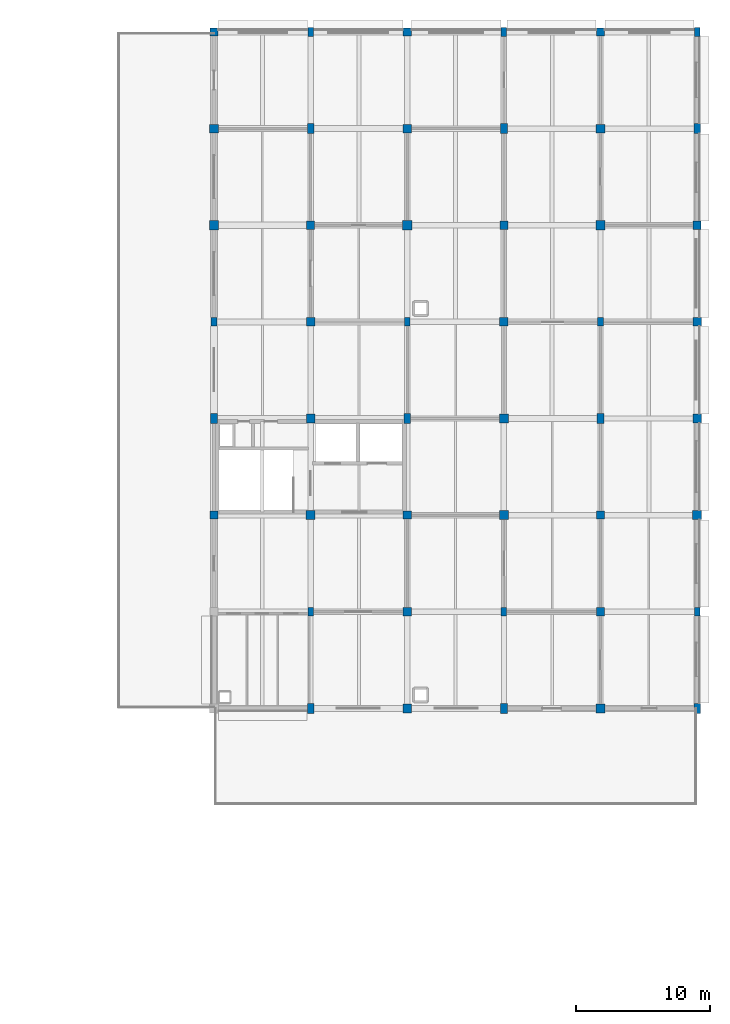
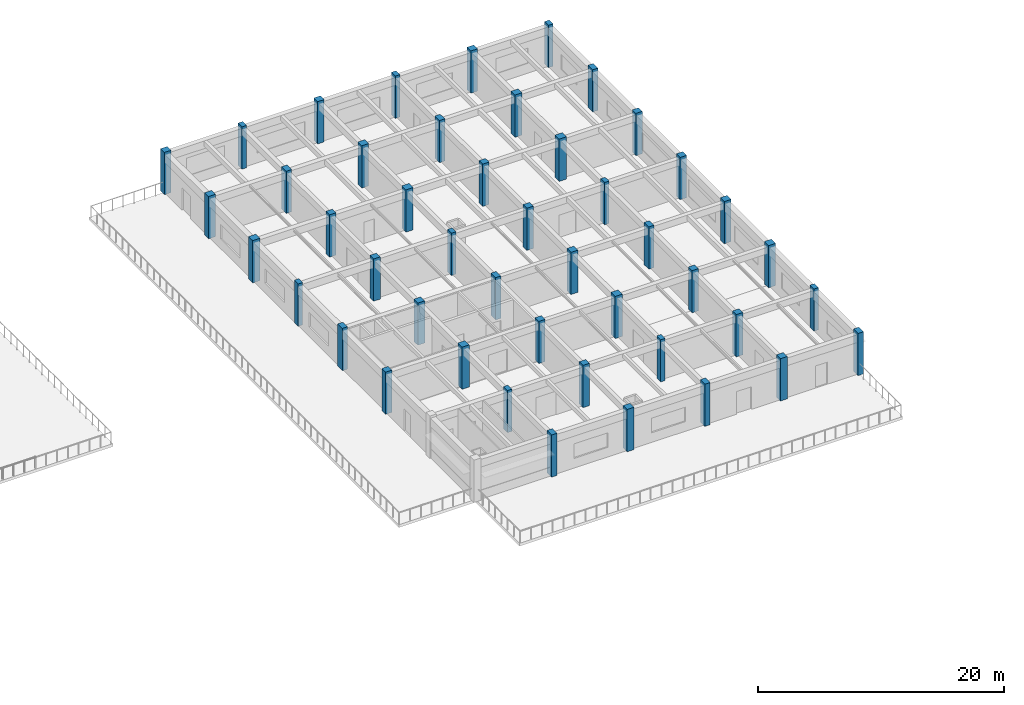
# One storey, part 2 of 38: 46 columns.
"""IFC4 building model written with IfcOpenShell, lengths in metres."""

from ifc_helpers import new_model, si_unit, direction, frame, origin, origin_2d, place, context, subcontext, project, spatial, rectangle, extrude, material, material_profile, profile_set, type_object, element, save


model = new_model("IFC4")

# Units and contexts
model_context = context("Model", 3, precision=1e-05, world=origin(), true_north=direction((0.0, 1.0)))
body_context = subcontext(model_context, "Body", "Model", "MODEL_VIEW")
ifc_project = project(units=[si_unit("LENGTHUNIT", "METRE"), si_unit("AREAUNIT", "SQUARE_METRE"), si_unit("VOLUMEUNIT", "CUBIC_METRE"), si_unit("PLANEANGLEUNIT", "RADIAN"), si_unit("MASSUNIT", "GRAM", prefix="KILO")], contexts=[model_context])

# Site, building, storey
site_placement = place(None, origin())
site = spatial("IfcSite", under=ifc_project, at=site_placement, CompositionType="ELEMENT")
building_placement = place(site_placement, origin())
building = spatial("IfcBuilding", under=site, at=building_placement, Name="Thalmaran Polytechnic", CompositionType="ELEMENT")
storey_placement = place(building_placement, frame((0.0, 0.0, 18.60009765625)))
storey = spatial("IfcBuildingStorey", under=building, at=storey_placement, Name="L04", CompositionType="ELEMENT", Elevation=18.60009765625)

# Columns
ifc_material = material(Name="Concrete C40/50", Category="concrete")
ifc_material_profile_1 = material_profile(ifc_material, rectangle(XDim=0.64990234375, YDim=0.64990234375, at=origin_2d()), Name="RC 650x650")
ifc_profile_set_1 = profile_set([ifc_material_profile_1], Name="Concrete C40/50")
column_type_1 = type_object("IfcColumnType", Name="COL-C06", PredefinedType="COLUMN", material=ifc_profile_set_1)
for number, where, z_axis, x_axis, name in (
    (1, (136.800048828125, 115.199951171875, 0.0), (0.0, 0.0, 1.0), (1.0, 0.0, 0.0), "Column C06 L04 (19,16)"),
    (2, (144.0, 93.60009765625, 0.0), (0.0, 0.0, 1.0), (1.0, 0.0, 0.0), "Column C06 L04 (20,13)"),
    (3, (151.199951171875, 72.0, 0.0), (0.0, 0.0, 1.0), (1.0, 0.0, 0.0), "Column C06 L04 (21,10)"),
    (4, (151.199951171875, 115.199951171875, 0.0), (0.0, 0.0, 1.0), (1.0, 0.0, 0.0), "Column C06 L04 (21,16)"),
    (5, (158.39990234375, 93.60009765625, 0.0), (0.0, 0.0, 1.0), (1.0, 0.0, 0.0), "Column C06 L04 (22,13)"),
    (6, (165.60009765625, 72.0, 0.0), (0.0, 0.0, 1.0), (1.0, 0.0, 0.0), "Column C06 L04 (23,10)"),
    (7, (165.60009765625, 115.199951171875, 0.0), (0.0, 0.0, 1.0), (1.0, 0.0, 0.0), "Column C06 L04 (23,16)"),
    (8, (172.800048828125, 93.60009765625, 0.0), (0.0, 0.0, 1.0), (1.0, 0.0, 0.0), "Column C06 L04 (24,13)"),
):
    element("IfcColumn", number, at=place(storey_placement, frame(where, z_axis=z_axis, x_axis=x_axis)), inside=storey, type_object=column_type_1, Name=name, PredefinedType="COLUMN", context=body_context, shape_type="SweptSolid", body=[
        extrude(rectangle(XDim=0.64990234375, YDim=0.64990234375, at=origin_2d()), origin(), (0.0, 0.0, 1.0), 4.199951171875),
    ])
ifc_material_profile_2 = material_profile(ifc_material, rectangle(XDim=0.60009765625, YDim=0.60009765625, at=origin_2d()), Name="RC 600x600")
ifc_profile_set_2 = profile_set([ifc_material_profile_2], Name="Concrete C40/50")
column_type_2 = type_object("IfcColumnType", Name="COL-C07", PredefinedType="COLUMN", material=ifc_profile_set_2)
for number, where, z_axis, x_axis, name in (
    (9, (136.800048828125, 86.39990234375, 0.0), (0.0, 0.0, 1.0), (1.0, 0.0, 0.0), "Column C07 L04 (19,12)"),
    (10, (144.0, 108.0, 0.0), (0.0, 0.0, 1.0), (1.0, 0.0, 0.0), "Column C07 L04 (20,15)"),
    (11, (151.199951171875, 86.39990234375, 0.0), (0.0, 0.0, 1.0), (1.0, 0.0, 0.0), "Column C07 L04 (21,12)"),
    (12, (158.39990234375, 108.0, 0.0), (0.0, 0.0, 1.0), (1.0, 0.0, 0.0), "Column C07 L04 (22,15)"),
    (13, (165.60009765625, 86.39990234375, 0.0), (0.0, 0.0, 1.0), (1.0, 0.0, 0.0), "Column C07 L04 (23,12)"),
    (14, (172.800048828125, 108.0, 0.0), (0.0, 0.0, 1.0), (1.0, 0.0, 0.0), "Column C07 L04 (24,15)"),
):
    element("IfcColumn", number, at=place(storey_placement, frame(where, z_axis=z_axis, x_axis=x_axis)), inside=storey, type_object=column_type_2, Name=name, PredefinedType="COLUMN", context=body_context, shape_type="SweptSolid", body=[
        extrude(rectangle(XDim=0.60009765625, YDim=0.60009765625, at=origin_2d()), origin(), (0.0, 0.0, 1.0), 4.199951171875),
    ])
ifc_material_profile_3 = material_profile(ifc_material, rectangle(XDim=0.5, YDim=0.75, at=origin_2d()), Name="RC 500x750")
ifc_profile_set_3 = profile_set([ifc_material_profile_3], Name="Concrete C40/50")
column_type_3 = type_object("IfcColumnType", Name="COL-C13", PredefinedType="COLUMN", material=ifc_profile_set_3)
for number, where, z_axis, x_axis, name in (
    (15, (136.800048828125, 93.60009765625, 0.0), (0.0, 0.0, 1.0), (1.0, 0.0, 0.0), "Column C13 L04 (19,13)"),
    (16, (144.0, 72.0, 0.0), (0.0, 0.0, 1.0), (1.0, 0.0, 0.0), "Column C13 L04 (20,10)"),
    (17, (144.0, 115.199951171875, 0.0), (0.0, 0.0, 1.0), (1.0, 0.0, 0.0), "Column C13 L04 (20,16)"),
    (18, (151.199951171875, 93.60009765625, 0.0), (0.0, 0.0, 1.0), (1.0, 0.0, 0.0), "Column C13 L04 (21,13)"),
    (19, (158.39990234375, 72.0, 0.0), (0.0, 0.0, 1.0), (1.0, 0.0, 0.0), "Column C13 L04 (22,10)"),
    (20, (158.39990234375, 115.199951171875, 0.0), (0.0, 0.0, 1.0), (1.0, 0.0, 0.0), "Column C13 L04 (22,16)"),
    (21, (165.60009765625, 93.60009765625, 0.0), (0.0, 0.0, 1.0), (1.0, 0.0, 0.0), "Column C13 L04 (23,13)"),
    (22, (172.800048828125, 72.0, 0.0), (0.0, 0.0, 1.0), (1.0, 0.0, 0.0), "Column C13 L04 (24,10)"),
    (23, (172.800048828125, 115.199951171875, 0.0), (0.0, 0.0, 1.0), (1.0, 0.0, 0.0), "Column C13 L04 (24,16)"),
):
    element("IfcColumn", number, at=place(storey_placement, frame(where, z_axis=z_axis, x_axis=x_axis)), inside=storey, type_object=column_type_3, Name=name, PredefinedType="COLUMN", context=body_context, shape_type="SweptSolid", body=[
        extrude(rectangle(XDim=0.5, YDim=0.75, at=origin_2d()), origin(), (0.0, 0.0, 1.0), 4.199951171875),
    ])
ifc_material_profile_4 = material_profile(ifc_material, rectangle(XDim=0.679931640625, YDim=0.679931640625, at=origin_2d()), Name="RC 680x680")
ifc_profile_set_4 = profile_set([ifc_material_profile_4], Name="Concrete C40/50")
column_type_4 = type_object("IfcColumnType", Name="COL-ZC05", PredefinedType="COLUMN", material=ifc_profile_set_4)
for number, where, z_axis, x_axis, name in (
    (24, (136.800048828125, 108.0, 0.0), (0.0, 0.0, 1.0), (1.0, 0.0, 0.0), "Column ZC05 L04 (19,15)"),
    (25, (144.0, 86.39990234375, 0.0), (0.0, 0.0, 1.0), (1.0, 0.0, 0.0), "Column ZC05 L04 (20,12)"),
    (26, (151.199951171875, 108.0, 0.0), (0.0, 0.0, 1.0), (1.0, 0.0, 0.0), "Column ZC05 L04 (21,15)"),
    (27, (158.39990234375, 86.39990234375, 0.0), (0.0, 0.0, 1.0), (1.0, 0.0, 0.0), "Column ZC05 L04 (22,12)"),
    (28, (165.60009765625, 108.0, 0.0), (0.0, 0.0, 1.0), (1.0, 0.0, 0.0), "Column ZC05 L04 (23,15)"),
    (29, (172.800048828125, 86.39990234375, 0.0), (0.0, 0.0, 1.0), (1.0, 0.0, 0.0), "Column ZC05 L04 (24,12)"),
):
    element("IfcColumn", number, at=place(storey_placement, frame(where, z_axis=z_axis, x_axis=x_axis)), inside=storey, type_object=column_type_4, Name=name, PredefinedType="COLUMN", context=body_context, shape_type="SweptSolid", body=[
        extrude(rectangle(XDim=0.679931640625, YDim=0.679931640625, at=origin_2d()), origin(), (0.0, 0.0, 1.0), 4.199951171875),
    ])
ifc_material_profile_5 = material_profile(ifc_material, rectangle(XDim=0.6201171875, YDim=0.6201171875, at=origin_2d()), Name="RC 620x620")
ifc_profile_set_5 = profile_set([ifc_material_profile_5], Name="Concrete C40/50")
column_type_5 = type_object("IfcColumnType", Name="COL-ZC06", PredefinedType="COLUMN", material=ifc_profile_set_5)
for number, where, z_axis, x_axis, name in (
    (30, (136.800048828125, 122.39990234375, 0.0), (0.0, 0.0, 1.0), (1.0, 0.0, 0.0), "Column ZC06 L04 (19,17)"),
    (31, (144.0, 100.800048828125, 0.0), (0.0, 0.0, 1.0), (1.0, 0.0, 0.0), "Column ZC06 L04 (20,14)"),
    (32, (151.199951171875, 79.199951171875, 0.0), (0.0, 0.0, 1.0), (1.0, 0.0, 0.0), "Column ZC06 L04 (21,11)"),
    (33, (151.199951171875, 122.39990234375, 0.0), (0.0, 0.0, 1.0), (1.0, 0.0, 0.0), "Column ZC06 L04 (21,17)"),
    (34, (158.39990234375, 100.800048828125, 0.0), (0.0, 0.0, 1.0), (1.0, 0.0, 0.0), "Column ZC06 L04 (22,14)"),
    (35, (165.60009765625, 79.199951171875, 0.0), (0.0, 0.0, 1.0), (1.0, 0.0, 0.0), "Column ZC06 L04 (23,11)"),
    (36, (165.60009765625, 122.39990234375, 0.0), (0.0, 0.0, 1.0), (1.0, 0.0, 0.0), "Column ZC06 L04 (23,17)"),
    (37, (172.800048828125, 100.800048828125, 0.0), (0.0, 0.0, 1.0), (1.0, 0.0, 0.0), "Column ZC06 L04 (24,14)"),
):
    element("IfcColumn", number, at=place(storey_placement, frame(where, z_axis=z_axis, x_axis=x_axis)), inside=storey, type_object=column_type_5, Name=name, PredefinedType="COLUMN", context=body_context, shape_type="SweptSolid", body=[
        extrude(rectangle(XDim=0.6201171875, YDim=0.6201171875, at=origin_2d()), origin(), (0.0, 0.0, 1.0), 4.199951171875),
    ])
ifc_material_profile_6 = material_profile(ifc_material, rectangle(XDim=0.419921875, YDim=0.639892578125, at=origin_2d()), Name="RC 420x640")
ifc_profile_set_6 = profile_set([ifc_material_profile_6], Name="Concrete C40/50")
column_type_6 = type_object("IfcColumnType", Name="COL-ZC10", PredefinedType="PILASTER", material=ifc_profile_set_6)
for number, where, z_axis, x_axis, name in (
    (38, (136.800048828125, 100.800048828125, 0.0), (0.0, 0.0, 1.0), (1.0, 0.0, 0.0), "Column ZPL1 L04 (19,14)"),
    (39, (144.0, 79.199951171875, 0.0), (0.0, 0.0, 1.0), (1.0, 0.0, 0.0), "Column ZPL1 L04 (20,11)"),
    (40, (144.0, 122.39990234375, 0.0), (0.0, 0.0, 1.0), (1.0, 0.0, 0.0), "Column ZPL1 L04 (20,17)"),
    (41, (151.199951171875, 100.800048828125, 0.0), (0.0, 0.0, 1.0), (1.0, 0.0, 0.0), "Column ZPL1 L04 (21,14)"),
    (42, (158.39990234375, 79.199951171875, 0.0), (0.0, 0.0, 1.0), (1.0, 0.0, 0.0), "Column ZPL1 L04 (22,11)"),
    (43, (158.39990234375, 122.39990234375, 0.0), (0.0, 0.0, 1.0), (1.0, 0.0, 0.0), "Column ZPL1 L04 (22,17)"),
    (44, (165.60009765625, 100.800048828125, 0.0), (0.0, 0.0, 1.0), (1.0, 0.0, 0.0), "Column ZPL1 L04 (23,14)"),
    (45, (172.800048828125, 79.199951171875, 0.0), (0.0, 0.0, 1.0), (1.0, 0.0, 0.0), "Column ZPL1 L04 (24,11)"),
    (46, (172.800048828125, 122.39990234375, 0.0), (0.0, 0.0, 1.0), (1.0, 0.0, 0.0), "Column ZPL1 L04 (24,17)"),
):
    element("IfcColumn", number, at=place(storey_placement, frame(where, z_axis=z_axis, x_axis=x_axis)), inside=storey, type_object=column_type_6, Name=name, PredefinedType="PILASTER", context=body_context, shape_type="SweptSolid", body=[
        extrude(rectangle(XDim=0.419921875, YDim=0.639892578125, at=origin_2d()), origin(), (0.0, 0.0, 1.0), 4.199951171875),
    ])

save(model, "model.ifc")
